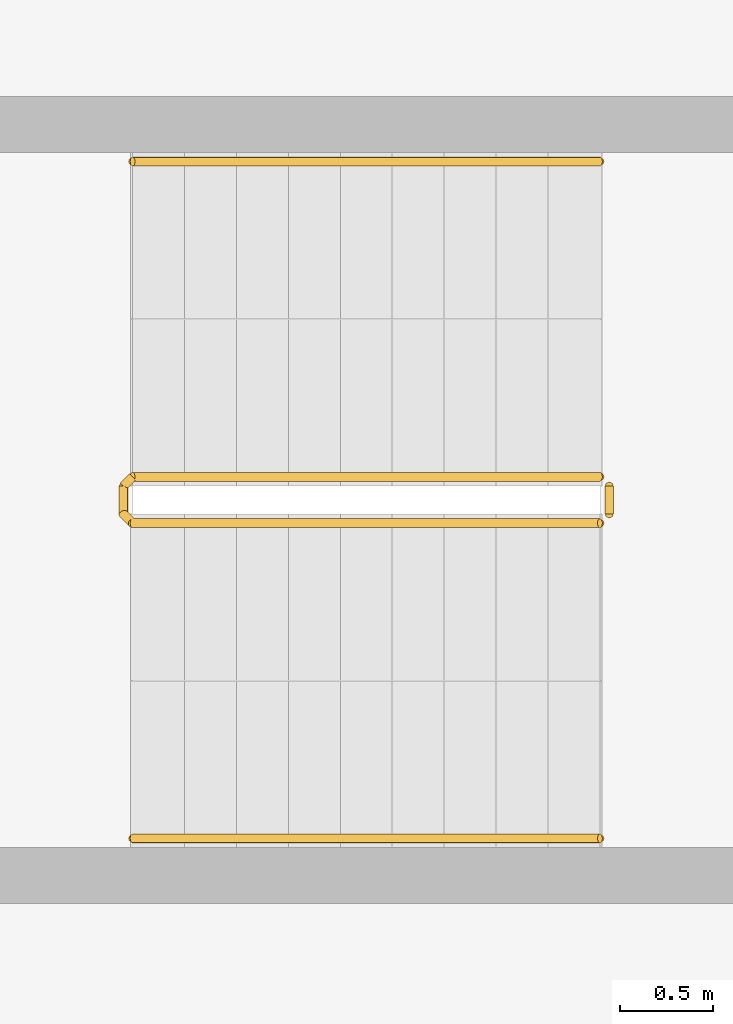
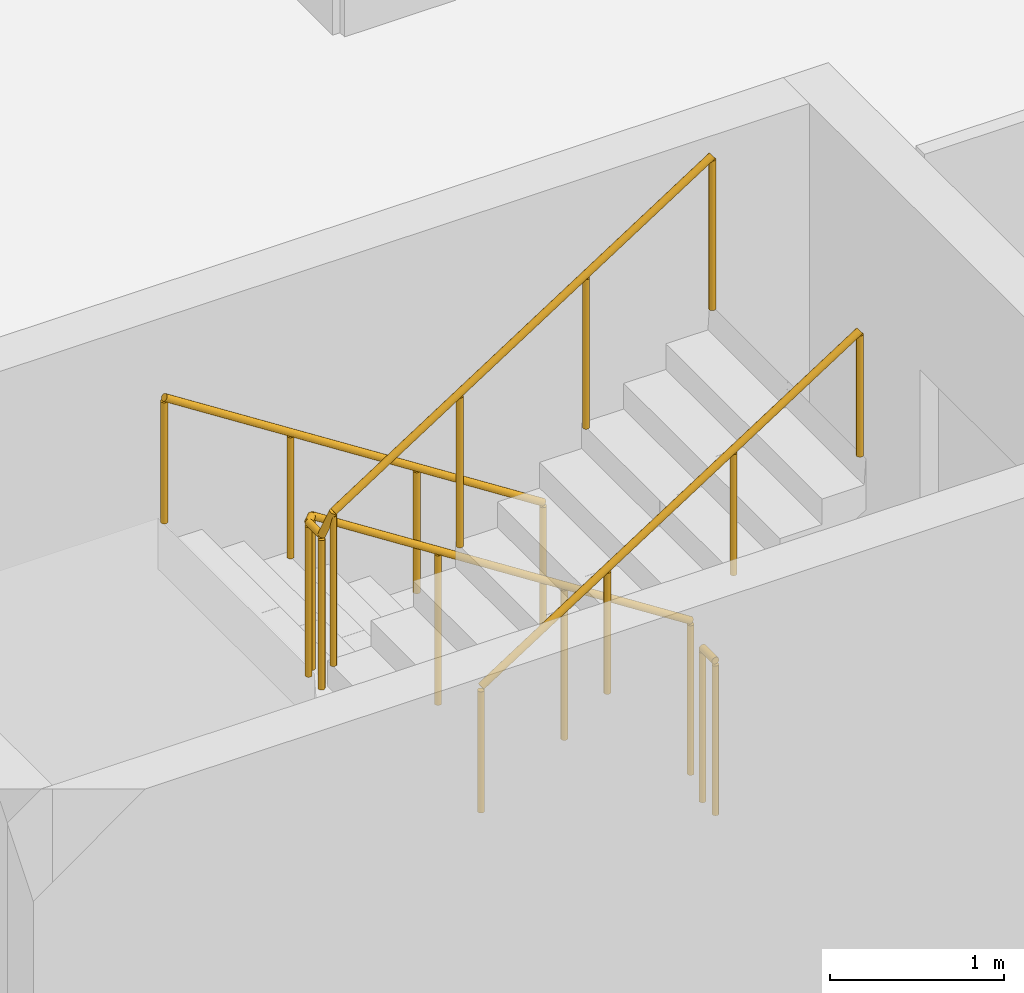
# One storey, part 27 of 30: 4 railings.
"""IFC4 building model written with IfcOpenShell, lengths in metres."""

import ifcopenshell
import ifcopenshell.guid

model = None  # the IFC model being written
_history = None  # IfcOwnerHistory: only IFC2X3 demands one
_inside = {}  # id of a spatial element -> (the spatial element, [elements in it])
_under = {}  # id of a project, library or spatial element -> (it, [spatial elements below it])
_declared = {}  # id of a project -> (the project, [libraries it declares])
_typed = {}  # id of a type object -> (the type object, [elements of that type])
_made_of = {}  # id of a material, layer set ... -> (it, [elements and type objects made of it])


def new_model(schema):
    """Start an empty IFC model of exactly this schema.

    Asked for "IFC4X3", IfcOpenShell would pick the latest addendum, in which some entities
    have other attributes; the version numbers below select the first issue.
    IFC2X3 requires an IfcOwnerHistory on every rooted entity: one is made here for all.
    """
    global model, _history
    if schema == "IFC4X3":
        model = ifcopenshell.file(schema_version=(4, 3, 0, 0))
    else:
        model = ifcopenshell.file(schema=schema)
    _inside.clear()
    _under.clear()
    _declared.clear()
    _typed.clear()
    _made_of.clear()
    _history = None
    if model.schema == "IFC2X3":
        org = make("IfcOrganization", Name="unknown")
        user = make(
            "IfcPersonAndOrganization",
            ThePerson=make("IfcPerson", FamilyName="unknown"),
            TheOrganization=org,
        )
        app = make(
            "IfcApplication",
            ApplicationDeveloper=org,
            Version="unknown",
            ApplicationFullName="unknown",
            ApplicationIdentifier="unknown",
        )
        _history = make(
            "IfcOwnerHistory",
            OwningUser=user,
            OwningApplication=app,
            ChangeAction="ADDED",
            CreationDate=0,
        )
    return model


def make(cls, **values):
    """One entity of the class cls with the attributes given. An attribute that is None is left unset."""
    return model.create_entity(
        cls, **{name: value for name, value in values.items() if value is not None}
    )


def rooted(cls, **values):
    """An entity with a GlobalId (a new one), such as an element, a storey or a relation."""
    return make(cls, GlobalId=ifcopenshell.guid.new(), OwnerHistory=_history, **values)


def si_unit(unit_type, name, prefix=None):
    """IfcSIUnit, for example si_unit("LENGTHUNIT", "METRE", prefix="MILLI")."""
    return make("IfcSIUnit", UnitType=unit_type, Prefix=prefix, Name=name)


def assignment(units):
    """IfcUnitAssignment: the units of a project."""
    return None if units is None else make("IfcUnitAssignment", Units=units)


def point(xyz):
    """IfcCartesianPoint."""
    return None if xyz is None else make("IfcCartesianPoint", Coordinates=xyz)


def direction(xyz):
    """IfcDirection."""
    return None if xyz is None else make("IfcDirection", DirectionRatios=xyz)


def frame(location, z_axis=None, x_axis=None):
    """IfcAxis2Placement3D, a coordinate frame: its origin and axes. An axis left out is left unset."""
    return make(
        "IfcAxis2Placement3D",
        Location=point(location),
        Axis=direction(z_axis),
        RefDirection=direction(x_axis),
    )


def frame_2d(location, x_axis=None):
    """IfcAxis2Placement2D, a coordinate frame in the plane: its origin and x axis."""
    return make(
        "IfcAxis2Placement2D", Location=point(location), RefDirection=direction(x_axis)
    )


def origin():
    """The frame at (0, 0, 0) with its axes left unset."""
    return frame((0.0, 0.0, 0.0))


def origin_2d():
    """The frame at (0, 0) in the plane with its x axis left unset."""
    return frame_2d((0.0, 0.0))


def place(relative_to, where):
    """IfcLocalPlacement: puts the frame where relative to a parent placement (None: the world)."""
    return make(
        "IfcLocalPlacement", PlacementRelTo=relative_to, RelativePlacement=where
    )


def context(
    kind, dimensions, precision=None, world=None, true_north=None, identifier=None
):
    """IfcGeometricRepresentationContext, for example the 3D "Model" context."""
    return make(
        "IfcGeometricRepresentationContext",
        ContextIdentifier=identifier,
        ContextType=kind,
        CoordinateSpaceDimension=dimensions,
        Precision=precision,
        WorldCoordinateSystem=world,
        TrueNorth=true_north,
    )


def subcontext(parent, identifier, kind, view, scale=None):
    """IfcGeometricRepresentationSubContext, for example "Body" below "Model"."""
    return make(
        "IfcGeometricRepresentationSubContext",
        ContextIdentifier=identifier,
        ContextType=kind,
        ParentContext=parent,
        TargetScale=scale,
        TargetView=view,
    )


def project(units=None, contexts=None):
    """IfcProject with its units and contexts."""
    return rooted(
        "IfcProject",
        Name="project",
        RepresentationContexts=contexts,
        UnitsInContext=assignment(units),
    )


def spatial(cls, under=None, at=None, **own):
    """A site, building, storey or space (cls), placed at a placement, below another one or the project."""
    s = rooted(cls, ObjectPlacement=at, **own)
    if under is not None:
        _under.setdefault(under.id(), (under, []))[1].append(s)
    return s


def profile(cls, at=None, kind="AREA", **sizes):
    """A parametric profile (cls). Its sizes go by their IFC names, for example OverallWidth=200.0."""
    return make(cls, ProfileType=kind, Position=at, **sizes)


def circle(**sizes):
    """IfcCircleProfileDef."""
    return profile("IfcCircleProfileDef", **sizes)


def extrude(swept, where, along, depth):
    """IfcExtrudedAreaSolid: the profile swept, set in the frame where, extruded along a direction by depth."""
    return make(
        "IfcExtrudedAreaSolid",
        SweptArea=swept,
        Position=where,
        ExtrudedDirection=direction(along),
        Depth=depth,
    )


def shape(context_of_items, identifier, shape_type, items):
    """IfcShapeRepresentation: the items that make up one representation, for example the "Body"."""
    return make(
        "IfcShapeRepresentation",
        ContextOfItems=context_of_items,
        RepresentationIdentifier=identifier,
        RepresentationType=shape_type,
        Items=items,
    )


def material(Name=None, Category=None):
    """IfcMaterial."""
    return make("IfcMaterial", Name=Name, Category=Category)


def made_of(thing, what):
    """Note that an element or type object is made of a material, layer set ...; save() writes the relation."""
    if what is not None:
        _made_of.setdefault(what.id(), (what, []))[1].append(thing)
    return thing


def type_object(cls, material=None, **own):
    """A type object (cls), such as IfcWallType, which elements share."""
    return made_of(rooted(cls, **own), material)


def element(
    cls,
    number,
    at=None,
    inside=None,
    cuts=None,
    type_object=None,
    material=None,
    context=None,
    identifier="Body",
    shape_type=None,
    held_by="IfcProductDefinitionShape",
    body=None,
    shapes=None,
    **own,
):
    """One element of the class cls, such as IfcWall. Its Tag is "e" and its number.

    at: its placement. inside: the storey or other place that contains it. cuts: it is an
    opening in that element (IfcRelVoidsElement). A single representation is given by context,
    identifier, shape_type and body (its items); several are given by shapes. held_by: the class
    of the entity that holds the representations. save() writes the other relations.
    """
    e = rooted(cls, Tag="e%d" % number, ObjectPlacement=at, **own)
    if body is not None:
        shapes = [shape(context, identifier, shape_type, body)]
    if shapes is not None:
        e.Representation = make(held_by, Representations=shapes)
    if inside is not None:
        _inside.setdefault(inside.id(), (inside, []))[1].append(e)
    if cuts is not None:
        rooted(
            "IfcRelVoidsElement", RelatingBuildingElement=cuts, RelatedOpeningElement=e
        )
    if type_object is not None:
        _typed.setdefault(type_object.id(), (type_object, []))[1].append(e)
    return made_of(e, material)


def aggregate(whole, parts):
    """IfcRelAggregates: a whole, such as a stair, and the parts it consists of."""
    return rooted("IfcRelAggregates", RelatingObject=whole, RelatedObjects=parts)


def save(model, path):
    """Write the relations noted so far, then the file.

    IfcRelAggregates (storeys below a building ...), IfcRelContainedInSpatialStructure (elements
    in a storey), IfcRelDefinesByType, IfcRelAssociatesMaterial and IfcRelDeclares: one each for
    every whole, place, type object, material and project.
    """
    for whole, parts in _under.values():
        aggregate(whole, parts)
    for where, things in _inside.values():
        rooted(
            "IfcRelContainedInSpatialStructure",
            RelatedElements=things,
            RelatingStructure=where,
        )
    for kind, things in _typed.values():
        rooted("IfcRelDefinesByType", RelatedObjects=things, RelatingType=kind)
    for what, things in _made_of.values():
        rooted("IfcRelAssociatesMaterial", RelatedObjects=things, RelatingMaterial=what)
    for by, libraries in _declared.values():
        rooted("IfcRelDeclares", RelatingContext=by, RelatedDefinitions=libraries)
    model.write(path)


model = new_model("IFC4")

# Units and contexts
model_context = context("Model", 3, precision=1e-05, world=origin(), true_north=direction((0.0, 1.0)))
body_context = subcontext(model_context, "Body", "Model", "MODEL_VIEW")
ifc_project = project(units=[si_unit("LENGTHUNIT", "METRE"), si_unit("AREAUNIT", "SQUARE_METRE"), si_unit("VOLUMEUNIT", "CUBIC_METRE"), si_unit("PLANEANGLEUNIT", "RADIAN"), si_unit("MASSUNIT", "GRAM", prefix="KILO")], contexts=[model_context])

# Site, building, storey
site_placement = place(None, origin())
site = spatial("IfcSite", under=ifc_project, at=site_placement, CompositionType="ELEMENT")
building_placement = place(site_placement, origin())
building = spatial("IfcBuilding", under=site, at=building_placement, Name="Wharfspan Tower", CompositionType="ELEMENT")
storey_placement = place(building_placement, frame((0.0, 0.0, 107.5)))
storey = spatial("IfcBuildingStorey", under=building, at=storey_placement, Name="L24", CompositionType="ELEMENT", Elevation=107.5)

# Railings
ifc_material = material(Name="Steel S355J2", Category="steel")
railing_type_1 = type_object("IfcRailingType", Name="Stair guard 1100", PredefinedType="GUARDRAIL", material=ifc_material)
railing_1_placement = place(storey_placement, frame((13.899902, 22.824951, 0.179932)))
element("IfcRailing", 1, at=railing_1_placement, inside=storey, type_object=railing_type_1, Name="L24 ST3 stair guard 1", PredefinedType="GUARDRAIL", context=body_context, shape_type="SweptSolid", body=[
    extrude(circle(Radius=0.023926, at=origin_2d()), frame((0.0, 0.0, 1.076172), z_axis=(-0.841163, 0.0, 0.540782), x_axis=(0.0, -1.0, 0.0)), (0.0, 0.0, 1.0), 2.99585),
    extrude(circle(Radius=0.023926, at=origin_2d()), frame((-2.52002, 0.0, 2.696289), z_axis=(-0.705376, -0.708834, 0.0), x_axis=(0.708834, -0.705376, 0.0)), (0.0, 0.0, 1.0), 0.070557),
    extrude(circle(Radius=0.023926, at=origin_2d()), frame((-2.569824, -0.050049, 2.696289), z_axis=(0.0, -1.0, 0.0), x_axis=(1.0, 0.0, 0.0)), (0.0, 0.0, 1.0), 0.149902),
    extrude(circle(Radius=0.023926, at=origin_2d()), frame((-2.569824, -0.199951, 2.696289), z_axis=(0.257669, -0.258932, 0.930892), x_axis=(0.708833, 0.705372, -1e-06)), (0.0, 0.0, 1.0), 0.193359),
    extrude(circle(Radius=0.023926, at=origin_2d()), frame((-2.52002, -0.25, 2.875977), z_axis=(0.841163, 0.0, 0.540782), x_axis=(0.0, 1.0, 0.0)), (0.0, 0.0, 1.0), 2.99585),
    extrude(circle(Radius=0.020996, at=origin_2d()), origin(), (0.0, 0.0, 1.0), 1.052002),
    extrude(circle(Radius=0.020996, at=origin_2d()), frame((-0.840088, 0.0, 0.540039)), (0.0, 0.0, 1.0), 1.052002),
    extrude(circle(Radius=0.020996, at=origin_2d()), frame((-1.679932, 0.0, 1.080078)), (0.0, 0.0, 1.0), 1.052002),
    extrude(circle(Radius=0.020996, at=origin_2d()), frame((-2.52002, 0.0, 1.620117)), (0.0, 0.0, 1.0), 1.052002),
    extrude(circle(Radius=0.020996, at=origin_2d()), frame((-2.569824, -0.050049, 1.620117)), (0.0, 0.0, 1.0), 1.052002),
    extrude(circle(Radius=0.020996, at=origin_2d()), frame((-2.569824, -0.199951, 1.620117)), (0.0, 0.0, 1.0), 1.052002),
    extrude(circle(Radius=0.020996, at=origin_2d()), frame((-2.52002, -0.25, 1.800049)), (0.0, 0.0, 1.0), 1.052002),
    extrude(circle(Radius=0.020996, at=origin_2d()), frame((-1.679932, -0.25, 2.340088)), (0.0, 0.0, 1.0), 1.052002),
    extrude(circle(Radius=0.020996, at=origin_2d()), frame((-0.840088, -0.25, 2.880127)), (0.0, 0.0, 1.0), 1.052002),
    extrude(circle(Radius=0.020996, at=origin_2d()), frame((0.0, -0.25, 3.420166)), (0.0, 0.0, 1.0), 1.052002),
])
railing_2_placement = place(storey_placement, frame((13.949951, 22.774902, 0.0)))
element("IfcRailing", 2, at=railing_2_placement, inside=storey, type_object=railing_type_1, Name="L24 ST3 stair guard 2", PredefinedType="GUARDRAIL", context=body_context, shape_type="SweptSolid", body=[
    extrude(circle(Radius=0.023926, at=origin_2d()), frame((0.0, 0.0, 1.076172), z_axis=(0.0, -1.0, 0.0), x_axis=(1.0, 0.0, 0.0)), (0.0, 0.0, 1.0), 0.149902),
    extrude(circle(Radius=0.020996, at=origin_2d()), origin(), (0.0, 0.0, 1.0), 1.052002),
    extrude(circle(Radius=0.020996, at=origin_2d()), frame((0.0, -0.149902, 0.0)), (0.0, 0.0, 1.0), 1.052002),
])
railing_type_2 = type_object("IfcRailingType", Name="Stair handrail 900", PredefinedType="HANDRAIL", material=ifc_material)
railing_3_placement = place(storey_placement, frame((13.899902, 24.524902, 0.179932)))
element("IfcRailing", 3, at=railing_3_placement, inside=storey, type_object=railing_type_2, Name="L24 ST3 stair handrail 1", PredefinedType="HANDRAIL", context=body_context, shape_type="SweptSolid", body=[
    extrude(circle(Radius=0.023926, at=origin_2d()), frame((0.0, 0.0, 0.875977), z_axis=(-0.841163, 0.0, 0.540782), x_axis=(0.0, -1.0, 0.0)), (0.0, 0.0, 1.0), 2.99585),
    extrude(circle(Radius=0.020996, at=origin_2d()), origin(), (0.0, 0.0, 1.0), 0.851807),
    extrude(circle(Radius=0.020996, at=origin_2d()), frame((-0.840088, 0.0, 0.540039)), (0.0, 0.0, 1.0), 0.851807),
    extrude(circle(Radius=0.020996, at=origin_2d()), frame((-1.679932, 0.0, 1.080078)), (0.0, 0.0, 1.0), 0.851807),
    extrude(circle(Radius=0.020996, at=origin_2d()), frame((-2.52002, 0.0, 1.620117)), (0.0, 0.0, 1.0), 0.851807),
])
railing_4_placement = place(storey_placement, frame((11.379883, 20.875, 1.97998)))
element("IfcRailing", 4, at=railing_4_placement, inside=storey, type_object=railing_type_2, Name="L24 ST3 stair handrail 2", PredefinedType="HANDRAIL", context=body_context, shape_type="SweptSolid", body=[
    extrude(circle(Radius=0.023926, at=origin_2d()), frame((0.0, 0.0, 0.875977), z_axis=(0.841163, 0.0, 0.540782), x_axis=(0.0, 1.0, 0.0)), (0.0, 0.0, 1.0), 2.99585),
    extrude(circle(Radius=0.020996, at=origin_2d()), origin(), (0.0, 0.0, 1.0), 0.851807),
    extrude(circle(Radius=0.020996, at=origin_2d()), frame((0.840088, 0.0, 0.540039)), (0.0, 0.0, 1.0), 0.851807),
    extrude(circle(Radius=0.020996, at=origin_2d()), frame((1.679932, 0.0, 1.080078)), (0.0, 0.0, 1.0), 0.851807),
    extrude(circle(Radius=0.020996, at=origin_2d()), frame((2.52002, 0.0, 1.620117)), (0.0, 0.0, 1.0), 0.851807),
])

save(model, "model.ifc")
